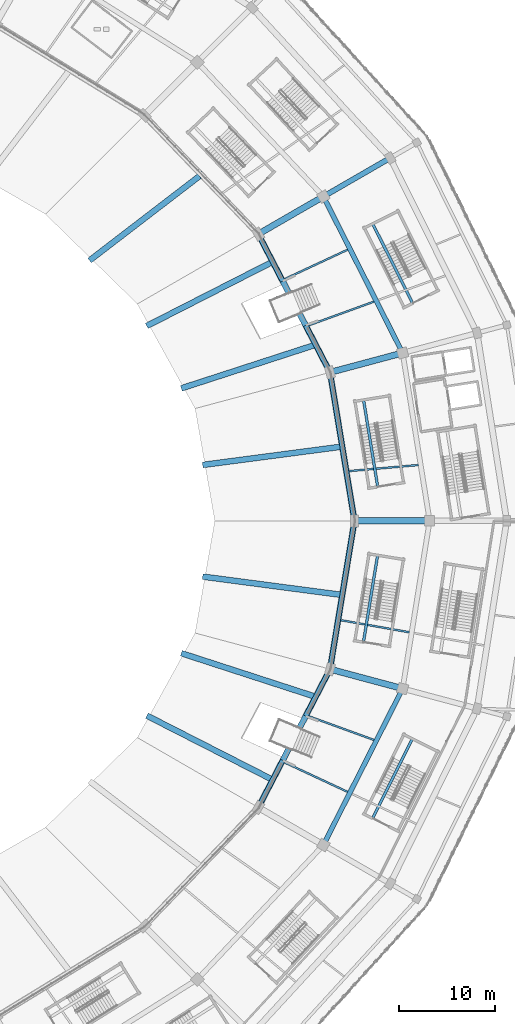
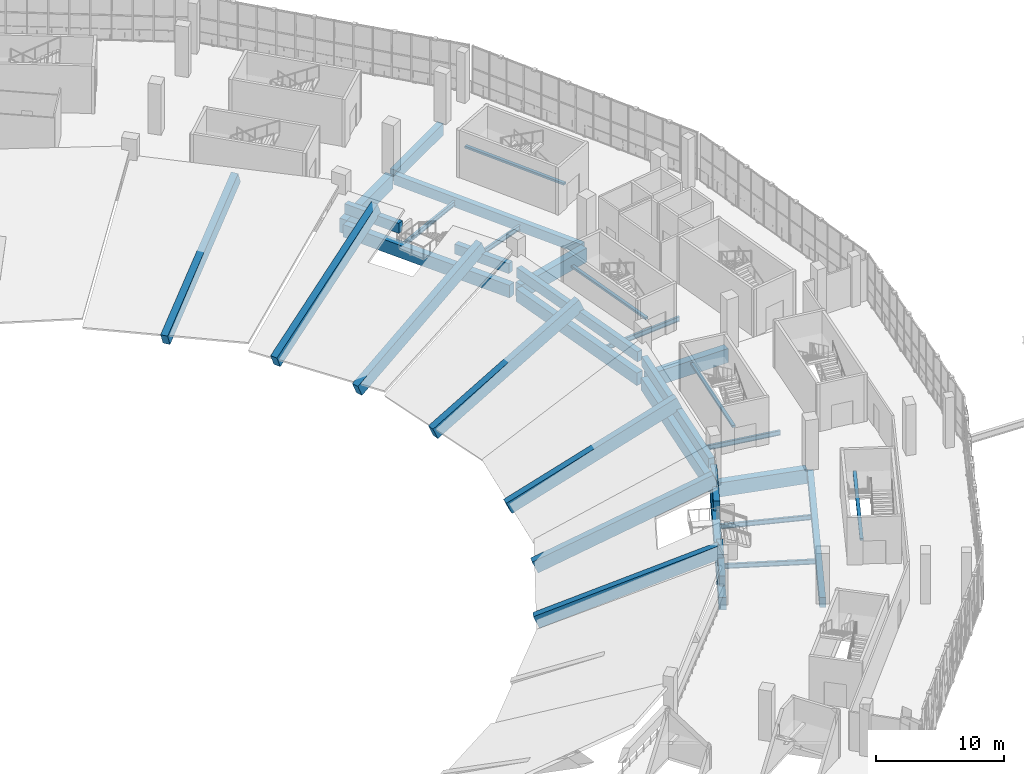
# One storey, part 38 of 183: 34 beams.
"""IFC4 building model written with IfcOpenShell, lengths in metres."""

from ifc_helpers import new_model, si_unit, direction, frame, origin, origin_2d, place, context, subcontext, project, spatial, rectangle, i_section, extrude, material, material_profile, profile_set, type_object, element, save


model = new_model("IFC4")

# Units and contexts
model_context = context("Model", 3, precision=1e-05, world=origin(), true_north=direction((0.0, 1.0)))
body_context = subcontext(model_context, "Body", "Model", "MODEL_VIEW")
ifc_project = project(units=[si_unit("LENGTHUNIT", "METRE"), si_unit("AREAUNIT", "SQUARE_METRE"), si_unit("VOLUMEUNIT", "CUBIC_METRE"), si_unit("PLANEANGLEUNIT", "RADIAN"), si_unit("MASSUNIT", "GRAM", prefix="KILO")], contexts=[model_context])

# Site, building, storey
site_placement = place(None, origin())
site = spatial("IfcSite", under=ifc_project, at=site_placement, CompositionType="ELEMENT")
building_placement = place(site_placement, origin())
building = spatial("IfcBuilding", under=site, at=building_placement, Name="Zevraka Park Crest Stadium", CompositionType="ELEMENT")
storey_placement = place(building_placement, frame((0.0, 0.0, 5.39990234375)))
storey = spatial("IfcBuildingStorey", under=building, at=storey_placement, Name="L01", CompositionType="ELEMENT", Elevation=5.39990234375)

# Beams
ifc_material_1 = material(Name="Concrete C40/50", Category="concrete")
ifc_material_profile_1 = material_profile(ifc_material_1, rectangle(XDim=0.64990234375, YDim=1.35009765625, at=origin_2d()), Name="RC 1350x650")
ifc_profile_set_1 = profile_set([ifc_material_profile_1], Name="Concrete C40/50")
beam_type_1 = type_object("IfcBeamType", Name="BG01", PredefinedType="BEAM", material=ifc_profile_set_1)
beam_1_placement = place(storey_placement, frame((186.800048828125, 92.0, -0.684814453125), z_axis=(1.0, 0.0, 0.0), x_axis=(0.0, 1.0, 0.0)))
element("IfcBeam", 1, at=beam_1_placement, inside=storey, type_object=beam_type_1, Name="Radial Girder BG01 L01-BC-00", PredefinedType="BEAM", context=body_context, shape_type="SweptSolid", body=[
    extrude(rectangle(XDim=0.64990234375, YDim=1.35009765625, at=origin_2d()), origin(), (0.0, 0.0, 1.0), 7.199951171875),
])
beam_2_placement = place(storey_placement, frame((184.2509765625, 107.47802734375, -0.684814453125), z_axis=(0.965945630245, 0.258745124417, 0.0), x_axis=(-0.258745124417, 0.965945630245, 0.0)))
element("IfcBeam", 2, at=beam_2_placement, inside=storey, type_object=beam_type_1, Name="Radial Girder BG01 L01-BC-01", PredefinedType="BEAM", context=body_context, shape_type="SweptSolid", body=[
    extrude(rectangle(XDim=0.64990234375, YDim=1.35009765625, at=origin_2d()), origin(), (0.0, 0.0, 1.0), 7.2001953125),
])
beam_3_placement = place(storey_placement, frame((176.779052734375, 121.89990234375, -0.684814453125), z_axis=(0.866001485781, 0.500041424909, 0.0), x_axis=(-0.500041424909, 0.866001485781, 0.0)))
element("IfcBeam", 3, at=beam_3_placement, inside=storey, type_object=beam_type_1, Name="Radial Girder BG01 L01-BC-02", PredefinedType="BEAM", context=body_context, shape_type="SweptSolid", body=[
    extrude(rectangle(XDim=0.64990234375, YDim=1.35009765625, at=origin_2d()), origin(), (0.0, 0.0, 1.0), 7.19970703125),
])
beam_4_placement = place(storey_placement, frame((184.2509765625, 76.52197265625, -0.684814453125), z_axis=(0.965945630245, -0.258745124417, 0.0), x_axis=(0.258745124417, 0.965945630245, 0.0)))
element("IfcBeam", 4, at=beam_4_placement, inside=storey, type_object=beam_type_1, Name="Radial Girder BG01 L01-BC-23", PredefinedType="BEAM", context=body_context, shape_type="SweptSolid", body=[
    extrude(rectangle(XDim=0.64990234375, YDim=1.35009765625, at=origin_2d()), origin(), (0.0, 0.0, 1.0), 7.2001953125),
])
ifc_material_2 = material(Name="Concrete C40/50", Category="concrete")
ifc_material_profile_2 = material_profile(ifc_material_2, rectangle(XDim=0.550048828125, YDim=1.10009765625, at=origin_2d()), Name="RC 1100x550")
ifc_profile_set_2 = profile_set([ifc_material_profile_2], Name="Concrete C40/50")
beam_type_2 = type_object("IfcBeamType", Name="BG02", PredefinedType="BEAM", material=ifc_profile_set_2)
beam_5_placement = place(storey_placement, frame((183.533935546875, 125.800048828125, -0.559814453125), z_axis=(0.86600700885, 0.500031859608, 0.0), x_axis=(-0.500031859608, 0.86600700885, 0.0)))
element("IfcBeam", 5, at=beam_5_placement, inside=storey, type_object=beam_type_2, Name="Radial Girder BG02 L01-CD-02", PredefinedType="BEAM", context=body_context, shape_type="SweptSolid", body=[
    extrude(rectangle(XDim=0.550048828125, YDim=1.10009765625, at=origin_2d()), origin(), (0.0, 0.0, 1.0), 7.3994140625),
])
ifc_material_3 = material(Name="Concrete C40/50", Category="concrete")
ifc_material_profile_3 = material_profile(ifc_material_3, rectangle(XDim=0.60009765625, YDim=1.199951171875, at=origin_2d()), Name="RC 1200x600")
ifc_profile_set_3 = profile_set([ifc_material_profile_3], Name="Concrete C40/50")
beam_type_3 = type_object("IfcBeamType", Name="RB01", PredefinedType="BEAM", material=ifc_profile_set_3)
beam_6_placement = place(storey_placement, frame((186.43798828125, 92.375, -0.60986328125), z_axis=(-0.162654875862, 0.986683024764, 0.0), x_axis=(-0.986683024764, -0.162654875862, 0.0)))
element("IfcBeam", 6, at=beam_6_placement, inside=storey, type_object=beam_type_3, Name="Ring Beam RB01 L01-B-00", PredefinedType="BEAM", context=body_context, shape_type="SweptSolid", body=[
    extrude(rectangle(XDim=0.60009765625, YDim=1.199951171875, at=origin_2d()), origin(), (0.0, 0.0, 1.0), 14.84765625),
])
for number, where, z_axis, x_axis, name in (
    (7, (183.785888671875, 107.737060546875, -0.60986328125), (-0.460343993973, 0.887740619333, 0.0), (-0.887740619333, -0.460343993973, 0.0), "Ring Beam RB01 L01-B-01"),
    (8, (176.694091796875, 62.5869140625, -0.60986328125), (0.460343993973, 0.887740619333, 0.0), (-0.887740619333, 0.460343993973, 0.0), "Ring Beam RB01 L01-B-22"),
):
    element("IfcBeam", number, at=place(storey_placement, frame(where, z_axis=z_axis, x_axis=x_axis)), inside=storey, type_object=beam_type_3, Name=name, PredefinedType="BEAM", context=body_context, shape_type="SweptSolid", body=[
        extrude(rectangle(XDim=0.60009765625, YDim=1.199951171875, at=origin_2d()), origin(), (0.0, 0.0, 1.0), 15.405517578125),
    ])
beam_7_placement = place(storey_placement, frame((184.02294921875, 76.97509765625, -0.60986328125), z_axis=(0.162654875862, 0.986683024764, 0.0), x_axis=(-0.986683024764, 0.162654875862, 0.0)))
element("IfcBeam", 9, at=beam_7_placement, inside=storey, type_object=beam_type_3, Name="Ring Beam RB01 L01-B-23", PredefinedType="BEAM", context=body_context, shape_type="SweptSolid", body=[
    extrude(rectangle(XDim=0.60009765625, YDim=1.199951171875, at=origin_2d()), origin(), (0.0, 0.0, 1.0), 14.84765625),
])
ifc_material_4 = material(Name="Concrete C40/50", Category="concrete")
ifc_material_profile_4 = material_profile(ifc_material_4, rectangle(XDim=0.5, YDim=0.949951171875, at=origin_2d()), Name="RC 950x500")
ifc_profile_set_4 = profile_set([ifc_material_profile_4], Name="Concrete C40/50")
beam_type_4 = type_object("IfcBeamType", Name="RB02", PredefinedType="BEAM", material=ifc_profile_set_4)
for number, where, z_axis, x_axis, name in (
    (10, (191.323974609375, 109.758056640625, -0.48486328125), (-0.451862275442, 0.892087710953, 0.0), (-0.892087710953, -0.451862275442, 0.0), "Ring Beam RB02 L01-C-01"),
    (11, (183.446044921875, 58.68896484375, -0.48486328125), (0.451862275442, 0.892087710953, 0.0), (-0.892087710953, 0.451862275442, 0.0), "Ring Beam RB02 L01-C-22"),
):
    element("IfcBeam", number, at=place(storey_placement, frame(where, z_axis=z_axis, x_axis=x_axis)), inside=storey, type_object=beam_type_4, Name=name, PredefinedType="BEAM", context=body_context, shape_type="SweptSolid", body=[
        extrude(rectangle(XDim=0.5, YDim=0.949951171875, at=origin_2d()), origin(), (0.0, 0.0, 1.0), 17.434326171875),
    ])
beam_8_placement = place(storey_placement, frame((186.43798828125, 92.375, 1.505126953125), z_axis=(-0.162654875862, 0.986683024764, 0.0), x_axis=(-0.986683024764, -0.162654875862, 0.0)))
element("IfcBeam", 12, at=beam_8_placement, inside=storey, type_object=beam_type_4, Name="Lower Tier Head Raker Ring Beam RB02 00", PredefinedType="BEAM", context=body_context, shape_type="SweptSolid", body=[
    extrude(rectangle(XDim=0.5, YDim=0.949951171875, at=origin_2d()), origin(), (0.0, 0.0, 1.0), 14.84765625),
])
for number, where, z_axis, x_axis, name in (
    (13, (183.738037109375, 107.830078125, 1.505126953125), (-0.46035697865, 0.887733885919, 0.0), (-0.887733885919, -0.46035697865, 0.0), "Lower Tier Head Raker Ring Beam RB02 01-1"),
    (14, (179.049072265625, 116.87109375, 1.505126953125), (-0.46035697865, 0.887733885919, 0.0), (-0.887733885919, -0.46035697865, 0.0), "Lower Tier Head Raker Ring Beam RB02 01-2"),
    (15, (176.741943359375, 62.679931640625, 1.505126953125), (0.46035697865, 0.887733885919, 0.0), (-0.887733885919, 0.46035697865, 0.0), "Lower Tier Head Raker Ring Beam RB02 22-1"),
    (16, (181.430908203125, 71.720947265625, 1.505126953125), (0.46035697865, 0.887733885919, 0.0), (-0.887733885919, 0.46035697865, 0.0), "Lower Tier Head Raker Ring Beam RB02 22-2"),
):
    element("IfcBeam", number, at=place(storey_placement, frame(where, z_axis=z_axis, x_axis=x_axis)), inside=storey, type_object=beam_type_4, Name=name, PredefinedType="BEAM", context=body_context, shape_type="SweptSolid", body=[
        extrude(rectangle(XDim=0.5, YDim=0.949951171875, at=origin_2d()), origin(), (0.0, 0.0, 1.0), 5.01171875),
    ])
beam_9_placement = place(storey_placement, frame((184.02294921875, 76.97509765625, 1.505126953125), z_axis=(0.162654875862, 0.986683024764, 0.0), x_axis=(-0.986683024764, 0.162654875862, 0.0)))
element("IfcBeam", 17, at=beam_9_placement, inside=storey, type_object=beam_type_4, Name="Lower Tier Head Raker Ring Beam RB02 23", PredefinedType="BEAM", context=body_context, shape_type="SweptSolid", body=[
    extrude(rectangle(XDim=0.5, YDim=0.949951171875, at=origin_2d()), origin(), (0.0, 0.0, 1.0), 14.84765625),
])
ifc_material_5 = material(Name="Concrete C40/50", Category="concrete")
ifc_material_profile_5 = material_profile(ifc_material_5, rectangle(XDim=0.60009765625, YDim=1.199951171875, at=origin_2d()), Name="RC 1200x600")
ifc_profile_set_5 = profile_set([ifc_material_profile_5], Name="Concrete C40/50")
beam_type_5 = type_object("IfcBeamType", Name="RK01", PredefinedType="BEAM", material=ifc_profile_set_5)
beam_10_placement = place(storey_placement, frame((170.97802734375, 97.823974609375, -3.64990234375), z_axis=(0.910611549195, 0.119863285323, 0.395498924529), x_axis=(-0.130503718104, 0.991447819888, 0.0)))
element("IfcBeam", 18, at=beam_10_placement, inside=storey, type_object=beam_type_5, Name="Lower Bowl Raker Girder RK01 00", PredefinedType="BEAM", context=body_context, shape_type="SweptSolid", body=[
    extrude(rectangle(XDim=0.60009765625, YDim=1.199951171875, at=origin_2d()), origin(), (0.0, 0.0, 1.0), 15.65087890625),
])
beam_11_placement = place(storey_placement, frame((168.757080078125, 105.818115234375, -3.64990234375), z_axis=(0.874029568253, 0.283694004576, 0.394449015192), x_axis=(-0.308726195059, 0.951150953574, 0.0)))
element("IfcBeam", 19, at=beam_11_placement, inside=storey, type_object=beam_type_5, Name="Lower Bowl Raker Girder RK01 01-1", PredefinedType="BEAM", context=body_context, shape_type="SweptSolid", body=[
    extrude(rectangle(XDim=0.60009765625, YDim=1.199951171875, at=origin_2d()), origin(), (0.0, 0.0, 1.0), 15.692626953125),
])
beam_12_placement = place(storey_placement, frame((165.160888671875, 112.3291015625, -3.64990234375), z_axis=(0.818622825899, 0.417448167253, 0.394453668476), x_axis=(-0.454283355914, 0.890857245881, 0.0)))
element("IfcBeam", 20, at=beam_12_placement, inside=storey, type_object=beam_type_5, Name="Lower Bowl Raker Girder RK01 01-2", PredefinedType="BEAM", context=body_context, shape_type="SweptSolid", body=[
    extrude(rectangle(XDim=0.60009765625, YDim=1.199951171875, at=origin_2d()), origin(), (0.0, 0.0, 1.0), 15.6923828125),
])
beam_13_placement = place(storey_placement, frame((159.194091796875, 119.159912109375, -3.64990234375), z_axis=(0.728653940697, 0.559167614686, 0.395468094026), x_axis=(-0.608796912594, 0.793326111518, 0.0)))
element("IfcBeam", 21, at=beam_13_placement, inside=storey, type_object=beam_type_5, Name="Lower Bowl Raker Girder RK01 02", PredefinedType="BEAM", context=body_context, shape_type="SweptSolid", body=[
    extrude(rectangle(XDim=0.60009765625, YDim=1.199951171875, at=origin_2d()), origin(), (0.0, 0.0, 1.0), 15.652099609375),
])
beam_14_placement = place(storey_placement, frame((165.160888671875, 71.6708984375, -3.64990234375), z_axis=(0.818622825899, -0.417448167253, 0.394453668476), x_axis=(0.454283355914, 0.890857245881, 0.0)))
element("IfcBeam", 22, at=beam_14_placement, inside=storey, type_object=beam_type_5, Name="Lower Bowl Raker Girder RK01 22-1", PredefinedType="BEAM", context=body_context, shape_type="SweptSolid", body=[
    extrude(rectangle(XDim=0.60009765625, YDim=1.199951171875, at=origin_2d()), origin(), (0.0, 0.0, 1.0), 15.6923828125),
])
beam_15_placement = place(storey_placement, frame((168.757080078125, 78.181884765625, -3.64990234375), z_axis=(0.874029568253, -0.283694004576, 0.394449015192), x_axis=(0.308726195059, 0.951150953574, 0.0)))
element("IfcBeam", 23, at=beam_15_placement, inside=storey, type_object=beam_type_5, Name="Lower Bowl Raker Girder RK01 22-2", PredefinedType="BEAM", context=body_context, shape_type="SweptSolid", body=[
    extrude(rectangle(XDim=0.60009765625, YDim=1.199951171875, at=origin_2d()), origin(), (0.0, 0.0, 1.0), 15.692626953125),
])
beam_16_placement = place(storey_placement, frame((170.97802734375, 86.176025390625, -3.64990234375), z_axis=(0.910611549195, -0.119863285323, 0.395498924529), x_axis=(0.130503718104, 0.991447819888, 0.0)))
element("IfcBeam", 24, at=beam_16_placement, inside=storey, type_object=beam_type_5, Name="Lower Bowl Raker Girder RK01 23", PredefinedType="BEAM", context=body_context, shape_type="SweptSolid", body=[
    extrude(rectangle(XDim=0.60009765625, YDim=1.199951171875, at=origin_2d()), origin(), (0.0, 0.0, 1.0), 15.65087890625),
])
ifc_material_6 = material(Name="Steel S355", Category="steel")
ifc_material_profile_6 = material_profile(ifc_material_6, i_section(OverallWidth=0.18994140625, OverallDepth=0.449951171875, WebThickness=0.009521484375, FlangeThickness=0.0146484375, at=origin_2d()), Name="IPE 450")
ifc_profile_set_6 = profile_set([ifc_material_profile_6], Name="Steel S355")
beam_type_6 = type_object("IfcBeamType", Name="SJ03", PredefinedType="JOIST", material=ifc_profile_set_6)
beam_17_placement = place(storey_placement, frame((185.967041015625, 97.160888671875, -0.532958984375), z_axis=(0.996217334877, 0.086896614952, 0.0), x_axis=(-0.086896614952, 0.996217334877, 0.0)))
element("IfcBeam", 25, at=beam_17_placement, inside=storey, type_object=beam_type_6, Name="Floor Joist SJ03 L01-BC-00-1", PredefinedType="JOIST", context=body_context, shape_type="SweptSolid", body=[
    extrude(i_section(OverallWidth=0.18994140625, OverallDepth=0.449951171875, WebThickness=0.009521484375, FlangeThickness=0.0146484375, at=origin_2d()), origin(), (0.0, 0.0, 1.0), 7.18115234375),
])
beam_18_placement = place(storey_placement, frame((181.77587890625, 112.291015625, -0.532958984375), z_axis=(0.939753715128, 0.34185224133, 0.0), x_axis=(-0.34185224133, 0.939753715128, 0.0)))
element("IfcBeam", 26, at=beam_18_placement, inside=storey, type_object=beam_type_6, Name="Floor Joist SJ03 L01-BC-01-1", PredefinedType="JOIST", context=body_context, shape_type="SweptSolid", body=[
    extrude(i_section(OverallWidth=0.18994140625, OverallDepth=0.449951171875, WebThickness=0.009521484375, FlangeThickness=0.0146484375, at=origin_2d()), origin(), (0.0, 0.0, 1.0), 7.181640625),
])
for number, where, z_axis, x_axis, name in (
    (27, (179.284912109375, 117.10009765625, -0.532958984375), (0.906247400476, 0.422747736989, 0.0), (-0.422747736989, 0.906247400476, 0.0), "Floor Joist SJ03 L01-BC-01-2"),
    (28, (179.284912109375, 66.89990234375, -0.532958984375), (0.906247400476, -0.422747736989, 0.0), (0.422747736989, 0.906247400476, 0.0), "Floor Joist SJ03 L01-BC-22-1"),
):
    element("IfcBeam", number, at=place(storey_placement, frame(where, z_axis=z_axis, x_axis=x_axis)), inside=storey, type_object=beam_type_6, Name=name, PredefinedType="JOIST", context=body_context, shape_type="SweptSolid", body=[
        extrude(i_section(OverallWidth=0.18994140625, OverallDepth=0.449951171875, WebThickness=0.009521484375, FlangeThickness=0.0146484375, at=origin_2d()), origin(), (0.0, 0.0, 1.0), 7.181396484375),
    ])
beam_19_placement = place(storey_placement, frame((181.77587890625, 71.708984375, -0.532958984375), z_axis=(0.939753715128, -0.34185224133, 0.0), x_axis=(0.34185224133, 0.939753715128, 0.0)))
element("IfcBeam", 29, at=beam_19_placement, inside=storey, type_object=beam_type_6, Name="Floor Joist SJ03 L01-BC-22-2", PredefinedType="JOIST", context=body_context, shape_type="SweptSolid", body=[
    extrude(i_section(OverallWidth=0.18994140625, OverallDepth=0.449951171875, WebThickness=0.009521484375, FlangeThickness=0.0146484375, at=origin_2d()), origin(), (0.0, 0.0, 1.0), 7.181640625),
])
beam_20_placement = place(storey_placement, frame((185.117919921875, 81.678955078125, -0.532958984375), z_axis=(0.984755135884, -0.173946320312, 0.0), x_axis=(0.173946320312, 0.984755135884, 0.0)))
element("IfcBeam", 30, at=beam_20_placement, inside=storey, type_object=beam_type_6, Name="Floor Joist SJ03 L01-BC-23-1", PredefinedType="JOIST", context=body_context, shape_type="SweptSolid", body=[
    extrude(i_section(OverallWidth=0.18994140625, OverallDepth=0.449951171875, WebThickness=0.009521484375, FlangeThickness=0.0146484375, at=origin_2d()), origin(), (0.0, 0.0, 1.0), 7.180419921875),
])
ifc_material_7 = material(Name="Concrete C40/50", Category="concrete")
ifc_material_profile_7 = material_profile(ifc_material_7, rectangle(XDim=0.280029296875, YDim=0.199951171875, at=origin_2d()), Name="RC 200x280")
ifc_profile_set_7 = profile_set([ifc_material_profile_7], Name="Concrete C40/50")
beam_type_7 = type_object("IfcBeamType", Name="SJ13", PredefinedType="JOIST", material=ifc_profile_set_7)
beam_21_placement = place(storey_placement, frame((192.518798828125, 114.591552734375, 2.300048828125), z_axis=(-0.447920796254, 0.894073241006, 0.0), x_axis=(-0.894073241006, -0.447920796254, 0.0)))
element("IfcBeam", 31, at=beam_21_placement, inside=storey, type_object=beam_type_7, Name="Stair Upper-Flight Longitudinal Stringer SJ13 ST02-L01", PredefinedType="JOIST", context=body_context, shape_type="SweptSolid", body=[
    extrude(rectangle(XDim=0.280029296875, YDim=0.199951171875, at=origin_2d()), origin(), (0.0, 0.0, 1.0), 9.25),
])
beam_22_placement = place(storey_placement, frame((188.375244140625, 61.1376953125, 2.300048828125), z_axis=(0.447910267746, 0.894078515594, 0.0), x_axis=(-0.894078515594, 0.447910267746, 0.0)))
element("IfcBeam", 32, at=beam_22_placement, inside=storey, type_object=beam_type_7, Name="Stair Upper-Flight Longitudinal Stringer SJ13 ST23-L01", PredefinedType="JOIST", context=body_context, shape_type="SweptSolid", body=[
    extrude(rectangle(XDim=0.280029296875, YDim=0.199951171875, at=origin_2d()), origin(), (0.0, 0.0, 1.0), 9.249755859375),
])
for number, where, z_axis, x_axis, name in (
    (33, (188.90625, 95.5439453125, 2.300048828125), (-0.160707035853, 0.987002152291, 0.0), (-0.987002152291, -0.160707035853, 0.0), "Stair Upper-Flight Longitudinal Stringer SJ13 ST33-L01"),
    (34, (187.43505859375, 79.4248046875, 2.300048828125), (0.160733028795, 0.986997919681, 0.0), (-0.986997919681, 0.160733028795, 0.0), "Stair Upper-Flight Longitudinal Stringer SJ13 ST44-L01"),
):
    element("IfcBeam", number, at=place(storey_placement, frame(where, z_axis=z_axis, x_axis=x_axis)), inside=storey, type_object=beam_type_7, Name=name, PredefinedType="JOIST", context=body_context, shape_type="SweptSolid", body=[
        extrude(rectangle(XDim=0.280029296875, YDim=0.199951171875, at=origin_2d()), origin(), (0.0, 0.0, 1.0), 9.14990234375),
    ])

save(model, "model.ifc")
